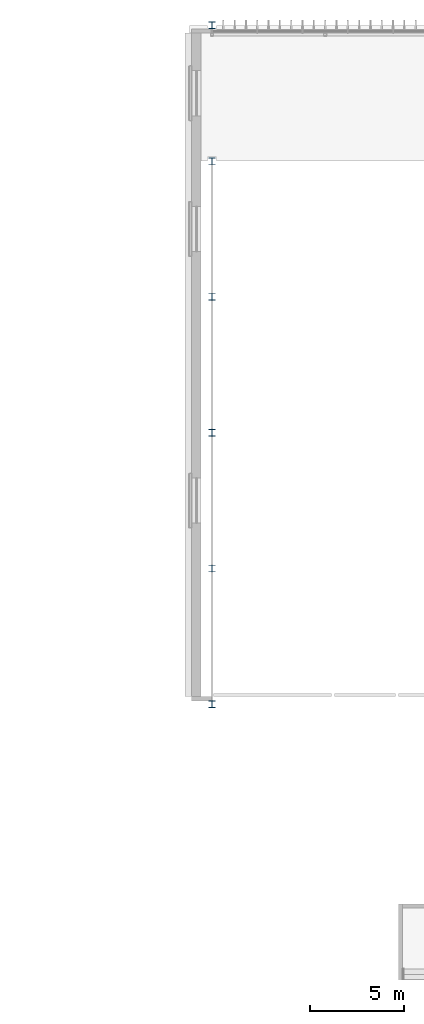
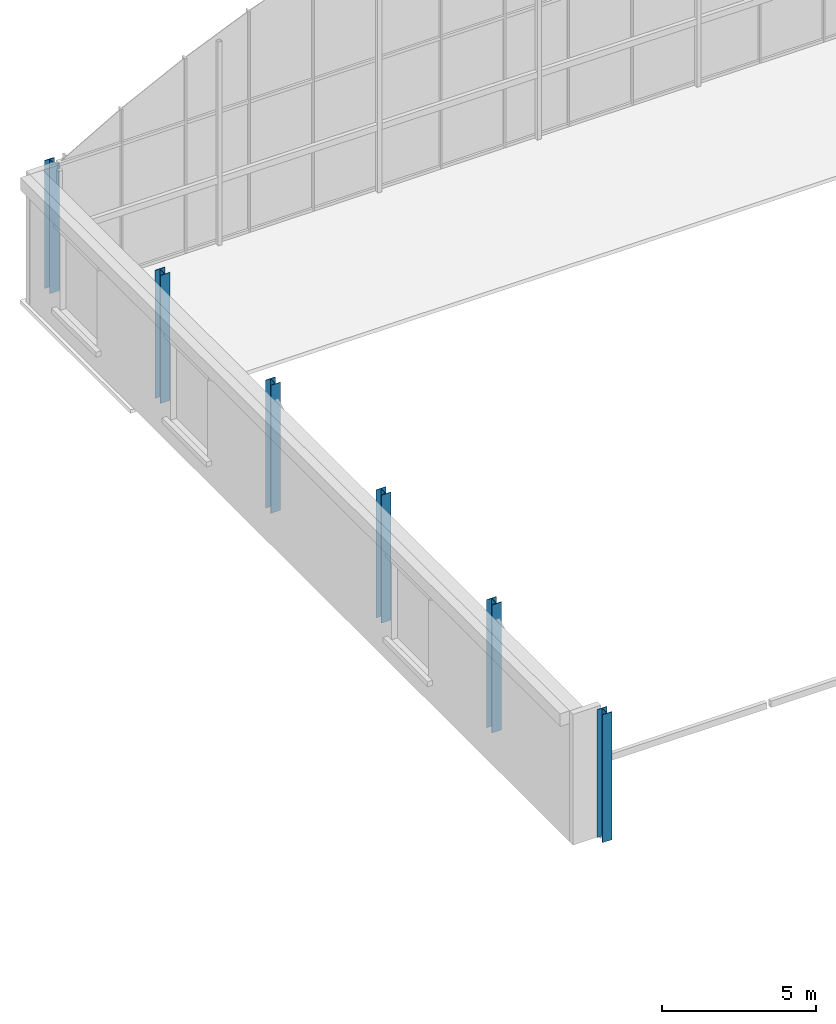
# One storey, part 7 of 93: 6 columns.
"""IFC4 building model written with IfcOpenShell, lengths in metres."""

from ifc_helpers import new_model, si_unit, direction, frame, origin, origin_2d, place, context, subcontext, project, spatial, i_section, extrude, material, material_profile, profile_set, type_object, element, save


model = new_model("IFC4")

# Units and contexts
model_context = context("Model", 3, precision=1e-05, world=origin(), true_north=direction((0.0, 1.0)))
body_context = subcontext(model_context, "Body", "Model", "MODEL_VIEW")
ifc_project = project(units=[si_unit("LENGTHUNIT", "METRE"), si_unit("AREAUNIT", "SQUARE_METRE"), si_unit("VOLUMEUNIT", "CUBIC_METRE"), si_unit("PLANEANGLEUNIT", "RADIAN"), si_unit("MASSUNIT", "GRAM", prefix="KILO")], contexts=[model_context])

# Site, building, storey
site_placement = place(None, origin())
site = spatial("IfcSite", under=ifc_project, at=site_placement, CompositionType="ELEMENT")
building_placement = place(site_placement, origin())
building = spatial("IfcBuilding", under=site, at=building_placement, Name="Verrick Yard Athletic Hall", CompositionType="ELEMENT")
storey_placement = place(building_placement, frame((0.0, 0.0, 8.800048828125)))
storey = spatial("IfcBuildingStorey", under=building, at=storey_placement, Name="L02", CompositionType="ELEMENT", Elevation=8.800048828125)

# Columns
ifc_material = material(Name="Structural steel 350W (CSA G40.21)", Category="steel")
ifc_material_profile = material_profile(ifc_material, i_section(OverallWidth=0.368896484375, OverallDepth=0.35595703125, WebThickness=0.01123046875, FlangeThickness=0.01806640625, at=origin_2d()), Name="W360x134")
ifc_profile_set = profile_set([ifc_material_profile], Name="Structural steel 350W (CSA G40.21)")
column_type = type_object("IfcColumnType", Name="HB column W360x134", PredefinedType="COLUMN", material=ifc_profile_set)
for number, where, z_axis, x_axis, name in (
    (1, (28.0, 72.0, 0.0), (0.0, 0.0, 1.0), (1.0, 0.0, 0.0), "HB-C-HBW1-L02"),
    (2, (28.0, 79.199951171875, 0.0), (0.0, 0.0, 1.0), (1.0, 0.0, 0.0), "HB-C-HBW2-L02"),
    (3, (28.0, 86.39990234375, 0.0), (0.0, 0.0, 1.0), (1.0, 0.0, 0.0), "HB-C-HBW3-L02"),
    (4, (28.0, 93.60009765625, 0.0), (0.0, 0.0, 1.0), (1.0, 0.0, 0.0), "HB-C-HBW4-L02"),
    (5, (28.0, 100.800048828125, 0.0), (0.0, 0.0, 1.0), (1.0, 0.0, 0.0), "HB-C-HBW5-L02"),
    (6, (28.0, 108.0, 0.0), (0.0, 0.0, 1.0), (1.0, 0.0, 0.0), "HB-C-HBW6-L02"),
):
    element("IfcColumn", number, at=place(storey_placement, frame(where, z_axis=z_axis, x_axis=x_axis)), inside=storey, type_object=column_type, Name=name, PredefinedType="COLUMN", context=body_context, shape_type="SweptSolid", body=[
        extrude(i_section(OverallWidth=0.368896484375, OverallDepth=0.35595703125, WebThickness=0.01123046875, FlangeThickness=0.01806640625, at=origin_2d()), origin(), (0.0, 0.0, 1.0), 5.089111328125),
    ])

save(model, "model.ifc")
